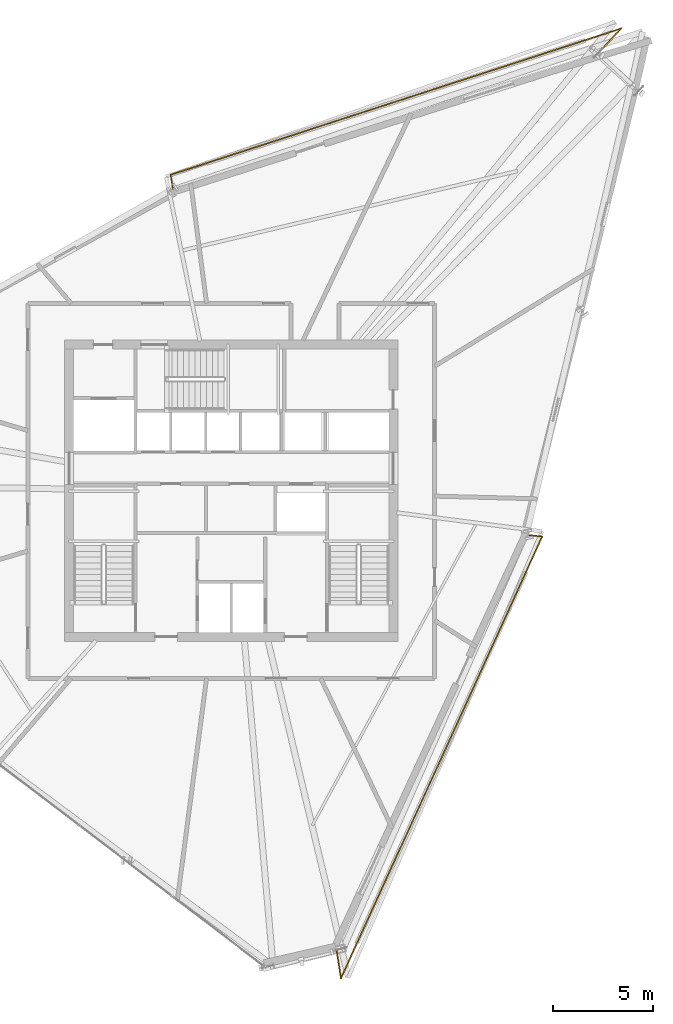
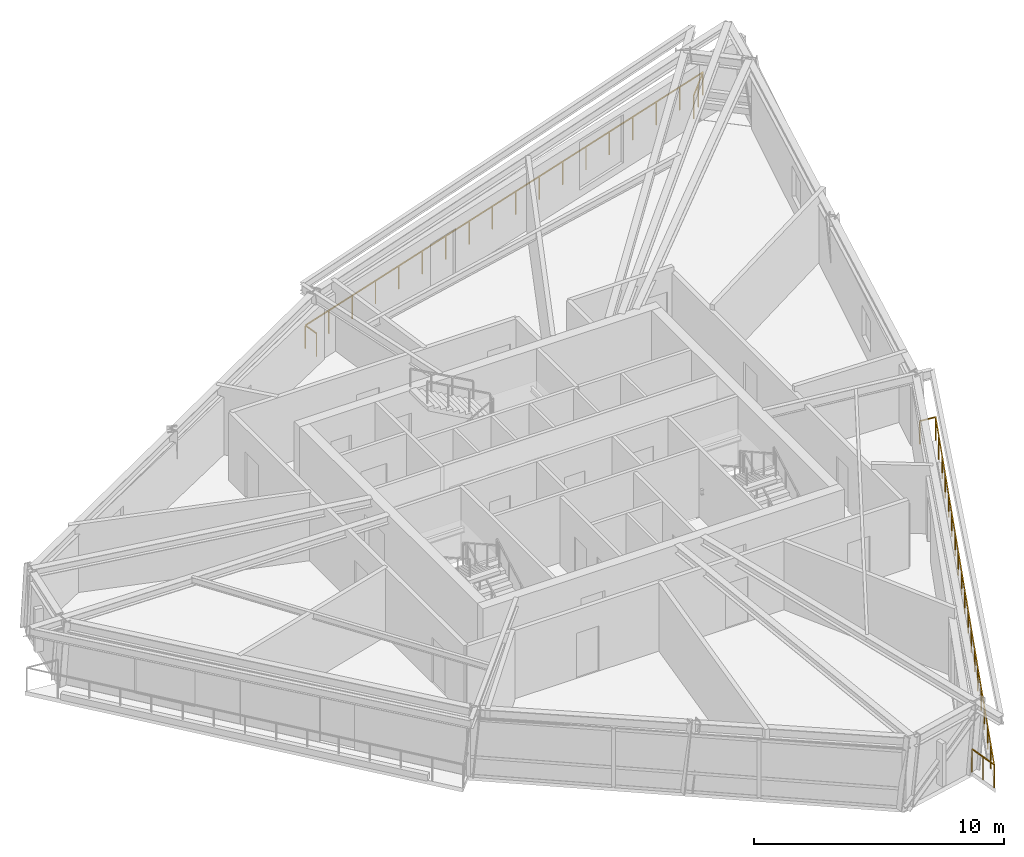
# One storey, part 13 of 13: 2 railings.
"""IFC4 building model written with IfcOpenShell, lengths in metres."""

from ifc_helpers import new_model, si_unit, direction, frame, origin, origin_2d, place, context, subcontext, project, spatial, rectangle, extrude, material, type_object, element, save


model = new_model("IFC4")

# Units and contexts
model_context = context("Model", 3, precision=1e-05, world=origin(), true_north=direction((0.0, 1.0)))
body_context = subcontext(model_context, "Body", "Model", "MODEL_VIEW")
ifc_project = project(units=[si_unit("LENGTHUNIT", "METRE"), si_unit("AREAUNIT", "SQUARE_METRE"), si_unit("VOLUMEUNIT", "CUBIC_METRE"), si_unit("PLANEANGLEUNIT", "RADIAN"), si_unit("MASSUNIT", "GRAM", prefix="KILO")], contexts=[model_context])

# Site, building, storey
site_placement = place(None, origin())
site = spatial("IfcSite", under=ifc_project, at=site_placement, CompositionType="ELEMENT")
building_placement = place(site_placement, origin())
building = spatial("IfcBuilding", under=site, at=building_placement, Name="Olszyna Solenne Hotel", CompositionType="ELEMENT")
storey_placement = place(building_placement, frame((0.0, 0.0, 227.35009765625)))
storey = spatial("IfcBuildingStorey", under=building, at=storey_placement, Name="L60", CompositionType="ELEMENT", Elevation=227.35009765625)

# Railings
ifc_material = material(Name="Anodised bronze aluminium", Category="aluminium")
railing_type = type_object("IfcRailingType", Name="GR-110", PredefinedType="BALUSTRADE", material=ifc_material)
railing_1_placement = place(storey_placement, frame((56.408203125, 48.54345703125, 0.0)))
element("IfcRailing", 1, at=railing_1_placement, inside=storey, type_object=railing_type, Name="Loggia balcony balustrade guard GR-L60-LG1", PredefinedType="BALUSTRADE", context=body_context, shape_type="SweptSolid", body=[
    extrude(rectangle(XDim=0.048095703125, YDim=0.048095703125, at=origin_2d()), frame((0.0, 0.0, 1.1259765625), z_axis=(0.679160551786, 0.733989744409, 0.0), x_axis=(-0.733989744409, 0.679160551786, 0.0)), (0.0, 0.0, 1.0), 1.692138671875),
    extrude(rectangle(XDim=0.048095703125, YDim=0.048095703125, at=origin_2d()), frame((1.149169921875, 1.241943359375, 1.1259765625), z_axis=(-0.951085171863, -0.308928787689, 0.0), x_axis=(0.308928787689, -0.951085171863, 0.0)), (0.0, 0.0, 1.0), 23.76220703125),
    extrude(rectangle(XDim=0.048095703125, YDim=0.048095703125, at=origin_2d()), frame((-21.45068359375, -6.098876953125, 1.1259765625), z_axis=(0.155962573473, -0.987762965329, 0.0), x_axis=(0.987762965329, 0.155962573473, 0.0)), (0.0, 0.0, 1.0), 0.709228515625),
    extrude(rectangle(XDim=0.0419921875, YDim=0.0419921875, at=origin_2d()), origin(), (0.0, 0.0, 1.0), 1.101806640625),
    extrude(rectangle(XDim=0.0419921875, YDim=0.0419921875, at=origin_2d()), frame((0.57470703125, 0.62109375, 0.0)), (0.0, 0.0, 1.0), 1.101806640625),
    extrude(rectangle(XDim=0.0419921875, YDim=0.0419921875, at=origin_2d()), frame((1.149169921875, 1.241943359375, 0.0)), (0.0, 0.0, 1.0), 1.101806640625),
    extrude(rectangle(XDim=0.0419921875, YDim=0.0419921875, at=origin_2d()), frame((-0.18017578125, 0.81005859375, 0.0)), (0.0, 0.0, 1.0), 1.101806640625),
    extrude(rectangle(XDim=0.0419921875, YDim=0.0419921875, at=origin_2d()), frame((-1.509521484375, 0.37841796875, 0.0)), (0.0, 0.0, 1.0), 1.101806640625),
    extrude(rectangle(XDim=0.0419921875, YDim=0.0419921875, at=origin_2d()), frame((-2.839111328125, -0.053466796875, 0.0)), (0.0, 0.0, 1.0), 1.101806640625),
    extrude(rectangle(XDim=0.0419921875, YDim=0.0419921875, at=origin_2d()), frame((-4.16845703125, -0.4853515625, 0.0)), (0.0, 0.0, 1.0), 1.101806640625),
    extrude(rectangle(XDim=0.0419921875, YDim=0.0419921875, at=origin_2d()), frame((-5.497802734375, -0.917236328125, 0.0)), (0.0, 0.0, 1.0), 1.101806640625),
    extrude(rectangle(XDim=0.0419921875, YDim=0.0419921875, at=origin_2d()), frame((-6.8271484375, -1.348876953125, 0.0)), (0.0, 0.0, 1.0), 1.101806640625),
    extrude(rectangle(XDim=0.0419921875, YDim=0.0419921875, at=origin_2d()), frame((-8.15673828125, -1.78076171875, 0.0)), (0.0, 0.0, 1.0), 1.101806640625),
    extrude(rectangle(XDim=0.0419921875, YDim=0.0419921875, at=origin_2d()), frame((-9.486083984375, -2.212646484375, 0.0)), (0.0, 0.0, 1.0), 1.101806640625),
    extrude(rectangle(XDim=0.0419921875, YDim=0.0419921875, at=origin_2d()), frame((-10.8154296875, -2.644287109375, 0.0)), (0.0, 0.0, 1.0), 1.101806640625),
    extrude(rectangle(XDim=0.0419921875, YDim=0.0419921875, at=origin_2d()), frame((-12.144775390625, -3.076171875, 0.0)), (0.0, 0.0, 1.0), 1.101806640625),
    extrude(rectangle(XDim=0.0419921875, YDim=0.0419921875, at=origin_2d()), frame((-13.474365234375, -3.508056640625, 0.0)), (0.0, 0.0, 1.0), 1.101806640625),
    extrude(rectangle(XDim=0.0419921875, YDim=0.0419921875, at=origin_2d()), frame((-14.8037109375, -3.939697265625, 0.0)), (0.0, 0.0, 1.0), 1.101806640625),
    extrude(rectangle(XDim=0.0419921875, YDim=0.0419921875, at=origin_2d()), frame((-16.133056640625, -4.37158203125, 0.0)), (0.0, 0.0, 1.0), 1.101806640625),
    extrude(rectangle(XDim=0.0419921875, YDim=0.0419921875, at=origin_2d()), frame((-17.46240234375, -4.803466796875, 0.0)), (0.0, 0.0, 1.0), 1.101806640625),
    extrude(rectangle(XDim=0.0419921875, YDim=0.0419921875, at=origin_2d()), frame((-18.7919921875, -5.2353515625, 0.0)), (0.0, 0.0, 1.0), 1.101806640625),
    extrude(rectangle(XDim=0.0419921875, YDim=0.0419921875, at=origin_2d()), frame((-20.121337890625, -5.6669921875, 0.0)), (0.0, 0.0, 1.0), 1.101806640625),
    extrude(rectangle(XDim=0.0419921875, YDim=0.0419921875, at=origin_2d()), frame((-21.45068359375, -6.098876953125, 0.0)), (0.0, 0.0, 1.0), 1.101806640625),
    extrude(rectangle(XDim=0.0419921875, YDim=0.0419921875, at=origin_2d()), frame((-21.340087890625, -6.79931640625, 0.0)), (0.0, 0.0, 1.0), 1.101806640625),
])
railing_2_placement = place(storey_placement, frame((43.279541015625, 3.547119140625, 0.0)))
element("IfcRailing", 2, at=railing_2_placement, inside=storey, type_object=railing_type, Name="Loggia balcony balustrade guard GR-L60-LG3", PredefinedType="BALUSTRADE", context=body_context, shape_type="SweptSolid", body=[
    extrude(rectangle(XDim=0.048095703125, YDim=0.048095703125, at=origin_2d()), frame((0.0, 0.0, 1.1259765625), z_axis=(0.155768121967, -0.987793648582, 0.0), x_axis=(0.987793648582, 0.155768121967, 0.0)), (0.0, 0.0, 1.0), 1.41845703125),
    extrude(rectangle(XDim=0.048095703125, YDim=0.048095703125, at=origin_2d()), frame((0.220947265625, -1.401123046875, 1.1259765625), z_axis=(0.414412546142, 0.91008913937, 0.0), x_axis=(-0.91008913937, 0.414412546142, 0.0)), (0.0, 0.0, 1.0), 24.3466796875),
    extrude(rectangle(XDim=0.048095703125, YDim=0.048095703125, at=origin_2d()), frame((10.310546875, 20.756591796875, 1.1259765625), z_axis=(-0.993273324711, 0.115793360849, 0.0), x_axis=(-0.115793360849, -0.993273324711, 0.0)), (0.0, 0.0, 1.0), 0.689453125),
    extrude(rectangle(XDim=0.0419921875, YDim=0.0419921875, at=origin_2d()), origin(), (0.0, 0.0, 1.0), 1.101806640625),
    extrude(rectangle(XDim=0.0419921875, YDim=0.0419921875, at=origin_2d()), frame((0.1103515625, -0.70068359375, 0.0)), (0.0, 0.0, 1.0), 1.101806640625),
    extrude(rectangle(XDim=0.0419921875, YDim=0.0419921875, at=origin_2d()), frame((0.220947265625, -1.401123046875, 0.0)), (0.0, 0.0, 1.0), 1.101806640625),
    extrude(rectangle(XDim=0.0419921875, YDim=0.0419921875, at=origin_2d()), frame((0.781494140625, -0.170166015625, 0.0)), (0.0, 0.0, 1.0), 1.101806640625),
    extrude(rectangle(XDim=0.0419921875, YDim=0.0419921875, at=origin_2d()), frame((1.342041015625, 1.060791015625, 0.0)), (0.0, 0.0, 1.0), 1.101806640625),
    extrude(rectangle(XDim=0.0419921875, YDim=0.0419921875, at=origin_2d()), frame((1.902587890625, 2.291748046875, 0.0)), (0.0, 0.0, 1.0), 1.101806640625),
    extrude(rectangle(XDim=0.0419921875, YDim=0.0419921875, at=origin_2d()), frame((2.463134765625, 3.522705078125, 0.0)), (0.0, 0.0, 1.0), 1.101806640625),
    extrude(rectangle(XDim=0.0419921875, YDim=0.0419921875, at=origin_2d()), frame((3.023681640625, 4.75390625, 0.0)), (0.0, 0.0, 1.0), 1.101806640625),
    extrude(rectangle(XDim=0.0419921875, YDim=0.0419921875, at=origin_2d()), frame((3.584228515625, 5.98486328125, 0.0)), (0.0, 0.0, 1.0), 1.101806640625),
    extrude(rectangle(XDim=0.0419921875, YDim=0.0419921875, at=origin_2d()), frame((4.144775390625, 7.2158203125, 0.0)), (0.0, 0.0, 1.0), 1.101806640625),
    extrude(rectangle(XDim=0.0419921875, YDim=0.0419921875, at=origin_2d()), frame((4.705322265625, 8.44677734375, 0.0)), (0.0, 0.0, 1.0), 1.101806640625),
    extrude(rectangle(XDim=0.0419921875, YDim=0.0419921875, at=origin_2d()), frame((5.265625, 9.677734375, 0.0)), (0.0, 0.0, 1.0), 1.101806640625),
    extrude(rectangle(XDim=0.0419921875, YDim=0.0419921875, at=origin_2d()), frame((5.826171875, 10.90869140625, 0.0)), (0.0, 0.0, 1.0), 1.101806640625),
    extrude(rectangle(XDim=0.0419921875, YDim=0.0419921875, at=origin_2d()), frame((6.38671875, 12.1396484375, 0.0)), (0.0, 0.0, 1.0), 1.101806640625),
    extrude(rectangle(XDim=0.0419921875, YDim=0.0419921875, at=origin_2d()), frame((6.947265625, 13.37060546875, 0.0)), (0.0, 0.0, 1.0), 1.101806640625),
    extrude(rectangle(XDim=0.0419921875, YDim=0.0419921875, at=origin_2d()), frame((7.5078125, 14.6015625, 0.0)), (0.0, 0.0, 1.0), 1.101806640625),
    extrude(rectangle(XDim=0.0419921875, YDim=0.0419921875, at=origin_2d()), frame((8.068359375, 15.832763671875, 0.0)), (0.0, 0.0, 1.0), 1.101806640625),
    extrude(rectangle(XDim=0.0419921875, YDim=0.0419921875, at=origin_2d()), frame((8.62890625, 17.063720703125, 0.0)), (0.0, 0.0, 1.0), 1.101806640625),
    extrude(rectangle(XDim=0.0419921875, YDim=0.0419921875, at=origin_2d()), frame((9.189453125, 18.294677734375, 0.0)), (0.0, 0.0, 1.0), 1.101806640625),
    extrude(rectangle(XDim=0.0419921875, YDim=0.0419921875, at=origin_2d()), frame((9.75, 19.525634765625, 0.0)), (0.0, 0.0, 1.0), 1.101806640625),
    extrude(rectangle(XDim=0.0419921875, YDim=0.0419921875, at=origin_2d()), frame((10.310546875, 20.756591796875, 0.0)), (0.0, 0.0, 1.0), 1.101806640625),
    extrude(rectangle(XDim=0.0419921875, YDim=0.0419921875, at=origin_2d()), frame((9.625732421875, 20.83642578125, 0.0)), (0.0, 0.0, 1.0), 1.101806640625),
])

save(model, "model.ifc")
